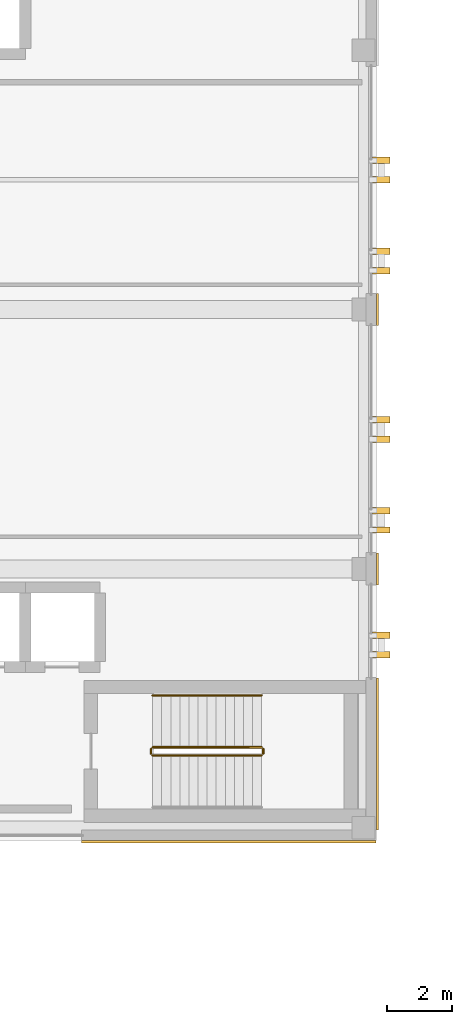
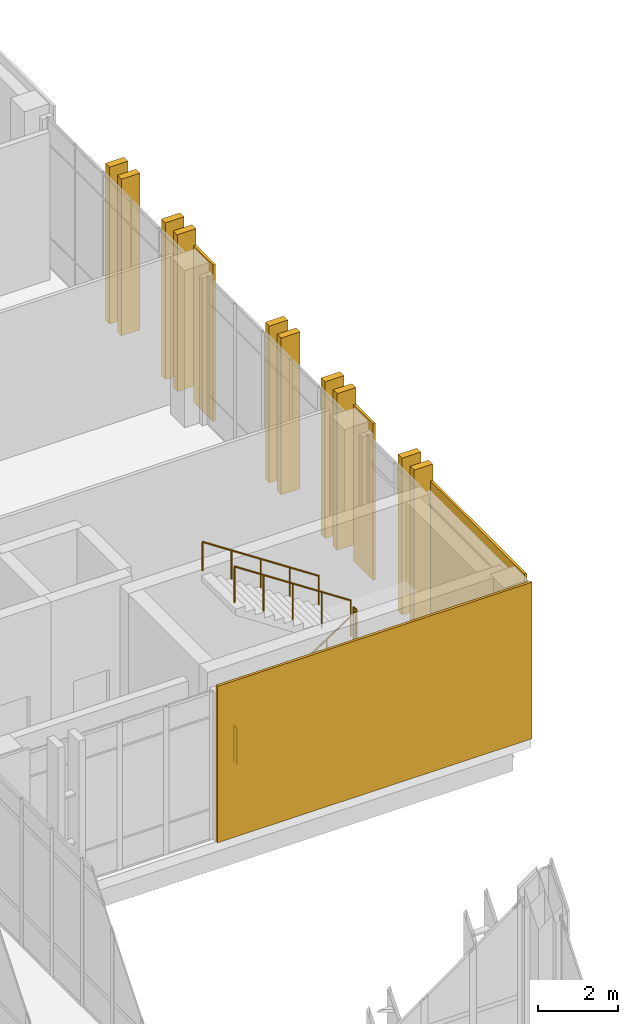
# One storey, part 177 of 189: 14 coverings, 5 railings.
"""IFC4 building model written with IfcOpenShell, lengths in metres."""

from ifc_helpers import new_model, si_unit, direction, frame, origin, origin_2d, place, context, subcontext, project, spatial, rectangle, circle, extrude, material, layer, layer_set, type_object, element, save


model = new_model("IFC4")

# Units and contexts
model_context = context("Model", 3, precision=1e-05, world=origin(), true_north=direction((0.0, 1.0)))
body_context = subcontext(model_context, "Body", "Model", "MODEL_VIEW")
ifc_project = project(units=[si_unit("LENGTHUNIT", "METRE"), si_unit("AREAUNIT", "SQUARE_METRE"), si_unit("VOLUMEUNIT", "CUBIC_METRE"), si_unit("PLANEANGLEUNIT", "RADIAN"), si_unit("MASSUNIT", "GRAM", prefix="KILO")], contexts=[model_context])

# Site, building, storey
site_placement = place(None, origin())
site = spatial("IfcSite", under=ifc_project, at=site_placement, CompositionType="ELEMENT")
building_placement = place(site_placement, origin())
building = spatial("IfcBuilding", under=site, at=building_placement, Name="Qalavern Law Courts", CompositionType="ELEMENT")
storey_placement = place(building_placement, frame((0.0, 0.0, 5.39990234375)))
storey = spatial("IfcBuildingStorey", under=building, at=storey_placement, Name="L01", CompositionType="ELEMENT", Elevation=5.39990234375)

# Coverings
ifc_material_1 = material(Name="Precast concrete C40/50", Category="concrete")
ifc_layer_1 = layer(ifc_material_1, 0.199951171875)
ifc_layer_set_1 = layer_set([ifc_layer_1], Name="Precast concrete C40/50")
covering_type_1 = type_object("IfcCoveringType", Name="ENV-BLD-1", PredefinedType="CLADDING", material=ifc_layer_set_1)
for number, where, z_axis, x_axis, name in (
    (1, (106.947509765625, 46.75, 0.005126953125), (0.0, 0.0, 1.0), (1.0, 0.0, 0.0), "Absheron stone facade blade 0537"),
    (2, (106.947509765625, 47.35009765625, 0.005126953125), (0.0, 0.0, 1.0), (1.0, 0.0, 0.0), "Absheron stone facade blade 0538"),
    (3, (106.947509765625, 50.60009765625, 0.005126953125), (0.0, 0.0, 1.0), (1.0, 0.0, 0.0), "Absheron stone facade blade 0539"),
    (4, (106.947509765625, 51.199951171875, 0.005126953125), (0.0, 0.0, 1.0), (1.0, 0.0, 0.0), "Absheron stone facade blade 0540"),
    (5, (106.947509765625, 53.39990234375, 0.005126953125), (0.0, 0.0, 1.0), (1.0, 0.0, 0.0), "Absheron stone facade blade 0541"),
    (6, (106.947509765625, 54.0, 0.005126953125), (0.0, 0.0, 1.0), (1.0, 0.0, 0.0), "Absheron stone facade blade 0542"),
    (7, (106.947509765625, 58.60009765625, 0.005126953125), (0.0, 0.0, 1.0), (1.0, 0.0, 0.0), "Absheron stone facade blade 0543"),
    (8, (106.947509765625, 59.199951171875, 0.005126953125), (0.0, 0.0, 1.0), (1.0, 0.0, 0.0), "Absheron stone facade blade 0544"),
    (9, (106.947509765625, 61.39990234375, 0.005126953125), (0.0, 0.0, 1.0), (1.0, 0.0, 0.0), "Absheron stone facade blade 0545"),
    (10, (106.947509765625, 62.0, 0.005126953125), (0.0, 0.0, 1.0), (1.0, 0.0, 0.0), "Absheron stone facade blade 0546"),
):
    element("IfcCovering", number, at=place(storey_placement, frame(where, z_axis=z_axis, x_axis=x_axis)), inside=storey, type_object=covering_type_1, Name=name, PredefinedType="CLADDING", context=body_context, shape_type="SweptSolid", body=[
        extrude(rectangle(XDim=0.5400390625, YDim=0.199951171875, at=origin_2d()), origin(), (0.0, 0.0, 1.0), 4.7900390625),
    ])
ifc_layer_2 = layer(ifc_material_1, 0.072021484375)
ifc_layer_set_2 = layer_set([ifc_layer_2], Name="Precast concrete C40/50")
covering_type_2 = type_object("IfcCoveringType", Name="ENV-CLD-2", PredefinedType="CLADDING", material=ifc_layer_set_2)
covering_1_placement = place(storey_placement, frame((102.25, 40.987060546875, 0.01025390625), z_axis=(0.0, 0.0, 1.0), x_axis=(1.0, 0.0, 0.0)))
element("IfcCovering", 11, at=covering_1_placement, inside=storey, type_object=covering_type_2, Name="V4 Absheron limestone pier facing L01 south 2", PredefinedType="CLADDING", context=body_context, shape_type="SweptSolid", body=[
    extrude(rectangle(XDim=9.080078125, YDim=0.072021484375, at=origin_2d()), origin(), (0.0, 0.0, 1.0), 4.780029296875),
])
covering_2_placement = place(storey_placement, frame((106.8330078125, 43.695068359375, 0.01025390625), z_axis=(0.0, 0.0, 1.0), x_axis=(0.0, 1.0, 0.0)))
element("IfcCovering", 12, at=covering_2_placement, inside=storey, type_object=covering_type_2, Name="V4 Absheron limestone pier facing L01 east 1", PredefinedType="CLADDING", context=body_context, shape_type="SweptSolid", body=[
    extrude(rectangle(XDim=4.68994140625, YDim=0.072021484375, at=origin_2d()), origin(), (0.0, 0.0, 1.0), 4.780029296875),
])
for number, where, z_axis, x_axis, name in (
    (13, (106.8330078125, 49.39990234375, 0.01025390625), (0.0, 0.0, 1.0), (0.0, 1.0, 0.0), "V4 Absheron limestone pier facing L01 east 2"),
    (14, (106.8330078125, 57.39990234375, 0.01025390625), (0.0, 0.0, 1.0), (0.0, 1.0, 0.0), "V4 Absheron limestone pier facing L01 east 3"),
):
    element("IfcCovering", number, at=place(storey_placement, frame(where, z_axis=z_axis, x_axis=x_axis)), inside=storey, type_object=covering_type_2, Name=name, PredefinedType="CLADDING", context=body_context, shape_type="SweptSolid", body=[
        extrude(rectangle(XDim=0.97998046875, YDim=0.072021484375, at=origin_2d()), origin(), (0.0, 0.0, 1.0), 4.780029296875),
    ])

# Railings
ifc_material_2 = material(Name="Steel S355", Category="steel")
railing_type_1 = type_object("IfcRailingType", Name="INT-GUARD-1120", PredefinedType="BALUSTRADE", material=ifc_material_2)
railing_1_placement = place(storey_placement, frame((99.89990234375, 43.64990234375, 0.184814453125)))
element("IfcRailing", 15, at=railing_1_placement, inside=storey, type_object=railing_type_1, Name="L01 ST-K1A stair guard 1", PredefinedType="BALUSTRADE", context=body_context, shape_type="SweptSolid", body=[
    extrude(circle(Radius=0.02392578125, at=origin_2d()), frame((0.0, 0.0, 1.09619140625), z_axis=(0.834876476806, 0.0, 0.550437342915), x_axis=(0.0, 1.0, 0.0)), (0.0, 0.0, 1.0), 4.024658203125),
    extrude(circle(Radius=0.02099609375, at=origin_2d()), origin(), (0.0, 0.0, 1.0), 1.072021484375),
    extrude(circle(Radius=0.02099609375, at=origin_2d()), frame((0.840087890625, 0.0, 0.5537109375)), (0.0, 0.0, 1.0), 1.072021484375),
    extrude(circle(Radius=0.02099609375, at=origin_2d()), frame((1.68017578125, 0.0, 1.107666015625)), (0.0, 0.0, 1.0), 1.072021484375),
    extrude(circle(Radius=0.02099609375, at=origin_2d()), frame((2.52001953125, 0.0, 1.66162109375)), (0.0, 0.0, 1.0), 1.072021484375),
    extrude(circle(Radius=0.02099609375, at=origin_2d()), frame((3.360107421875, 0.0, 2.21533203125)), (0.0, 0.0, 1.0), 1.072021484375),
])
railing_2_placement = place(storey_placement, frame((103.31005859375, 43.699951171875, 2.400146484375)))
element("IfcRailing", 16, at=railing_2_placement, inside=storey, type_object=railing_type_1, Name="L01 ST-K1A stair guard 2", PredefinedType="BALUSTRADE", context=body_context, shape_type="SweptSolid", body=[
    extrude(circle(Radius=0.02392578125, at=origin_2d()), frame((0.0, 0.0, 1.09619140625), z_axis=(0.0, 1.0, 0.0), x_axis=(-1.0, 0.0, 0.0)), (0.0, 0.0, 1.0), 0.150146484375),
    extrude(circle(Radius=0.02099609375, at=origin_2d()), origin(), (0.0, 0.0, 1.0), 1.072021484375),
    extrude(circle(Radius=0.02099609375, at=origin_2d()), frame((0.0, 0.150146484375, 0.0)), (0.0, 0.0, 1.0), 1.072021484375),
])
railing_3_placement = place(storey_placement, frame((103.260009765625, 43.89990234375, 2.584716796875)))
element("IfcRailing", 17, at=railing_3_placement, inside=storey, type_object=railing_type_1, Name="L01 ST-K1A stair guard 3", PredefinedType="BALUSTRADE", context=body_context, shape_type="SweptSolid", body=[
    extrude(circle(Radius=0.02392578125, at=origin_2d()), frame((0.0, 0.0, 1.09619140625), z_axis=(-0.834876476806, 0.0, 0.550437342915), x_axis=(0.0, -1.0, 0.0)), (0.0, 0.0, 1.0), 4.024658203125),
    extrude(circle(Radius=0.02099609375, at=origin_2d()), origin(), (0.0, 0.0, 1.0), 1.072021484375),
    extrude(circle(Radius=0.02099609375, at=origin_2d()), frame((-0.840087890625, 0.0, 0.5537109375)), (0.0, 0.0, 1.0), 1.072021484375),
    extrude(circle(Radius=0.02099609375, at=origin_2d()), frame((-1.68017578125, 0.0, 1.107666015625)), (0.0, 0.0, 1.0), 1.072021484375),
    extrude(circle(Radius=0.02099609375, at=origin_2d()), frame((-2.52001953125, 0.0, 1.66162109375)), (0.0, 0.0, 1.0), 1.072021484375),
    extrude(circle(Radius=0.02099609375, at=origin_2d()), frame((-3.360107421875, 0.0, 2.21533203125)), (0.0, 0.0, 1.0), 1.072021484375),
])
railing_4_placement = place(storey_placement, frame((99.85009765625, 43.699951171875, 0.0)))
element("IfcRailing", 18, at=railing_4_placement, inside=storey, type_object=railing_type_1, Name="L01 ST-K1A stair guard 4", PredefinedType="BALUSTRADE", context=body_context, shape_type="SweptSolid", body=[
    extrude(circle(Radius=0.02392578125, at=origin_2d()), frame((0.0, 0.0, 1.09619140625), z_axis=(0.0, 1.0, 0.0), x_axis=(-1.0, 0.0, 0.0)), (0.0, 0.0, 1.0), 0.150146484375),
    extrude(circle(Radius=0.02099609375, at=origin_2d()), origin(), (0.0, 0.0, 1.0), 1.072021484375),
    extrude(circle(Radius=0.02099609375, at=origin_2d()), frame((0.0, 0.150146484375, 0.0)), (0.0, 0.0, 1.0), 1.072021484375),
])
railing_type_2 = type_object("IfcRailingType", Name="INT-HRAIL-920", PredefinedType="HANDRAIL", material=ifc_material_2)
railing_5_placement = place(storey_placement, frame((103.260009765625, 45.5, 2.584716796875)))
element("IfcRailing", 19, at=railing_5_placement, inside=storey, type_object=railing_type_2, Name="L01 ST-K1A stair handrail 2", PredefinedType="HANDRAIL", context=body_context, shape_type="SweptSolid", body=[
    extrude(circle(Radius=0.02392578125, at=origin_2d()), frame((0.0, 0.0, 0.8759765625), z_axis=(-0.834876476806, 0.0, 0.550437342915), x_axis=(0.0, -1.0, 0.0)), (0.0, 0.0, 1.0), 4.024658203125),
    extrude(circle(Radius=0.02099609375, at=origin_2d()), origin(), (0.0, 0.0, 1.0), 0.851806640625),
    extrude(circle(Radius=0.02099609375, at=origin_2d()), frame((-0.840087890625, 0.0, 0.5537109375)), (0.0, 0.0, 1.0), 0.851806640625),
    extrude(circle(Radius=0.02099609375, at=origin_2d()), frame((-1.68017578125, 0.0, 1.107666015625)), (0.0, 0.0, 1.0), 0.851806640625),
    extrude(circle(Radius=0.02099609375, at=origin_2d()), frame((-2.52001953125, 0.0, 1.66162109375)), (0.0, 0.0, 1.0), 0.851806640625),
    extrude(circle(Radius=0.02099609375, at=origin_2d()), frame((-3.360107421875, 0.0, 2.21533203125)), (0.0, 0.0, 1.0), 0.851806640625),
])

save(model, "model.ifc")
